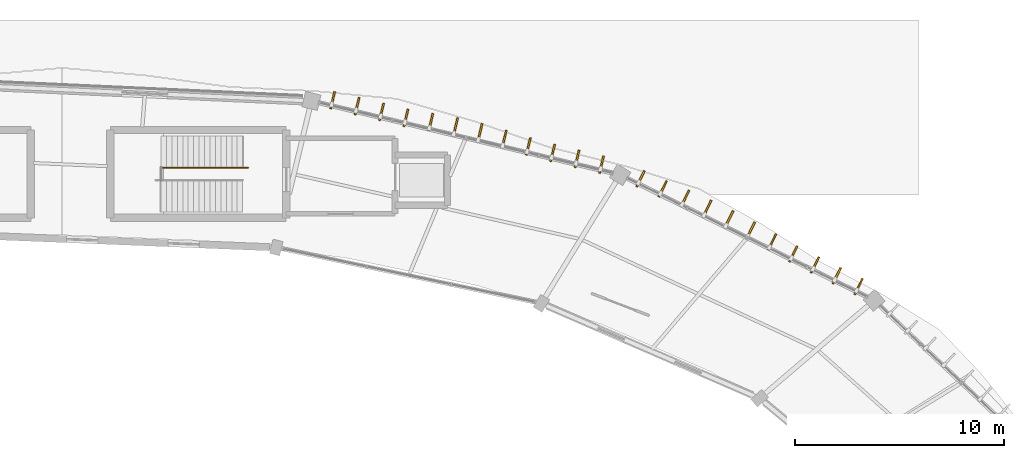
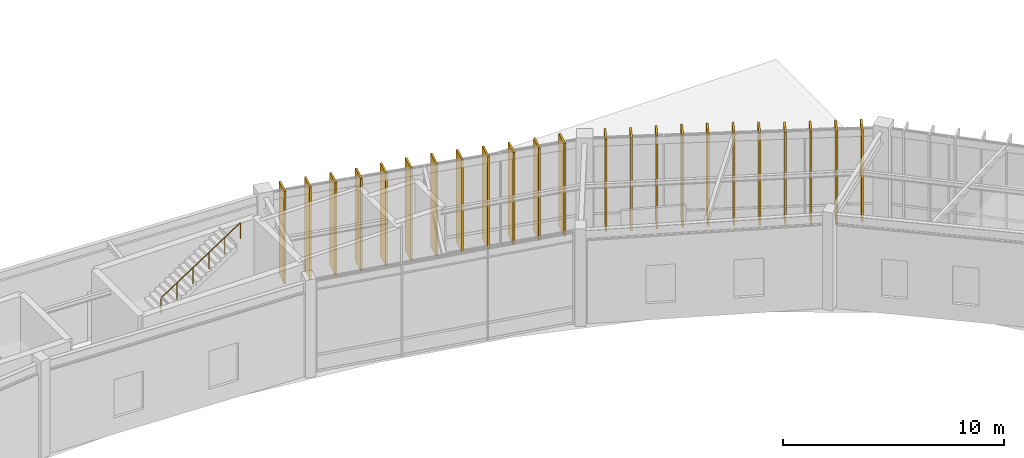
# One storey, part 152 of 157: 23 shading devices, 1 railing.
"""IFC4 building model written with IfcOpenShell, lengths in metres."""

from ifc_helpers import new_model, si_unit, direction, frame, origin, origin_2d, place, context, subcontext, project, spatial, rectangle, circle, extrude, material, type_object, element, save


model = new_model("IFC4")

# Units and contexts
model_context = context("Model", 3, precision=1e-05, world=origin(), true_north=direction((0.0, 1.0)))
body_context = subcontext(model_context, "Body", "Model", "MODEL_VIEW")
ifc_project = project(units=[si_unit("LENGTHUNIT", "METRE"), si_unit("AREAUNIT", "SQUARE_METRE"), si_unit("VOLUMEUNIT", "CUBIC_METRE"), si_unit("PLANEANGLEUNIT", "RADIAN"), si_unit("MASSUNIT", "GRAM", prefix="KILO"), si_unit("THERMODYNAMICTEMPERATUREUNIT", "KELVIN"), si_unit("POWERUNIT", "WATT")], contexts=[model_context])

# Site, building, storey
site_placement = place(None, origin())
site = spatial("IfcSite", under=ifc_project, at=site_placement, CompositionType="ELEMENT")
building_placement = place(site_placement, origin())
building = spatial("IfcBuilding", under=site, at=building_placement, Name="Darbajah Civic Hall", CompositionType="ELEMENT")
storey_placement = place(building_placement, origin())
storey = spatial("IfcBuildingStorey", under=building, at=storey_placement, Name="L00", CompositionType="ELEMENT", Elevation=0.0)

# Railing
ifc_material_1 = material(Name="Brushed Bronze Stainless Steel", Category="steel")
railing_type = type_object("IfcRailingType", Name="Brushed Bronze Handrail", PredefinedType="HANDRAIL", material=ifc_material_1)
railing_placement = place(storey_placement, frame((93.820068359375, 115.300048828125, 2.86865234375)))
element("IfcRailing", 1, at=railing_placement, inside=storey, type_object=railing_type, Name="ST02 L00 upper flight handrail", PredefinedType="HANDRAIL", context=body_context, shape_type="SweptSolid", body=[
    extrude(circle(Radius=0.02392578125, at=origin_2d()), frame((0.02294921875, 0.0, 0.910888671875), z_axis=(0.837079509808, 0.0, 0.547081250145), x_axis=(0.0, 1.0, 0.0)), (0.0, 0.0, 1.0), 4.9150390625),
    extrude(circle(Radius=0.02099609375, at=origin_2d()), origin(), (0.0, 0.0, 1.0), 0.867919921875),
    extrude(circle(Radius=0.02099609375, at=origin_2d()), frame((0.83203125, 0.0, 0.543701171875)), (0.0, 0.0, 1.0), 0.867919921875),
    extrude(circle(Radius=0.02099609375, at=origin_2d()), frame((1.6640625, 0.0, 1.08740234375)), (0.0, 0.0, 1.0), 0.867919921875),
    extrude(circle(Radius=0.02099609375, at=origin_2d()), frame((2.495849609375, 0.0, 1.63134765625)), (0.0, 0.0, 1.0), 0.867919921875),
    extrude(circle(Radius=0.02099609375, at=origin_2d()), frame((3.327880859375, 0.0, 2.175048828125)), (0.0, 0.0, 1.0), 0.867919921875),
    extrude(circle(Radius=0.02099609375, at=origin_2d()), frame((4.159912109375, 0.0, 2.71875)), (0.0, 0.0, 1.0), 0.867919921875),
])

# Shading devices
ifc_material_2 = material(Name="Bronze Anodised Aluminium and Teak Composite", Category="aluminium")
shading_device_type = type_object("IfcShadingDeviceType", Name="Vertical Bronze Timber Shading Fin", PredefinedType="USERDEFINED", material=ifc_material_2)
for number, where, z_axis, x_axis, name in (
    (2, (127.139404296875, 109.62060546875, 0.0), (0.0, 0.0, 1.0), (0.442914717678, 0.89656374724, 0.0), "L00 vertical shading fin VF-02-1"),
    (3, (126.09765625, 110.135009765625, 0.0), (0.0, 0.0, 1.0), (0.442914717678, 0.89656374724, 0.0), "L00 vertical shading fin VF-02-2"),
    (4, (125.05615234375, 110.649658203125, 0.0), (0.0, 0.0, 1.0), (0.442914717678, 0.89656374724, 0.0), "L00 vertical shading fin VF-02-3"),
    (5, (124.020751953125, 111.176513671875, 0.0), (0.0, 0.0, 1.0), (0.442914717678, 0.89656374724, 0.0), "L00 vertical shading fin VF-02-4"),
    (6, (123.008056640625, 111.74951171875, 0.0), (0.0, 0.0, 1.0), (0.442914717678, 0.89656374724, 0.0), "L00 vertical shading fin VF-02-5"),
    (7, (121.990234375, 112.3125, 0.0), (0.0, 0.0, 1.0), (0.442914717678, 0.89656374724, 0.0), "L00 vertical shading fin VF-02-6"),
    (8, (120.960693359375, 112.8515625, 0.0), (0.0, 0.0, 1.0), (0.442914717678, 0.89656374724, 0.0), "L00 vertical shading fin VF-02-7"),
    (9, (119.915283203125, 113.35791015625, 0.0), (0.0, 0.0, 1.0), (0.442914717678, 0.89656374724, 0.0), "L00 vertical shading fin VF-02-8"),
    (10, (118.853515625, 113.831787109375, 0.0), (0.0, 0.0, 1.0), (0.442914717678, 0.89656374724, 0.0), "L00 vertical shading fin VF-02-9"),
    (11, (117.7802734375, 114.282470703125, 0.0), (0.0, 0.0, 1.0), (0.442914717678, 0.89656374724, 0.0), "L00 vertical shading fin VF-02-10"),
    (12, (116.7236328125, 114.76611328125, 0.0), (0.0, 0.0, 1.0), (0.442914717678, 0.89656374724, 0.0), "L00 vertical shading fin VF-02-11"),
    (13, (114.85888671875, 115.438232421875, 0.0), (0.0, 0.0, 1.0), (0.232936200179, 0.972492018808, 0.0), "L00 vertical shading fin VF-03-1"),
    (14, (113.69140625, 115.718017578125, 0.0), (0.0, 0.0, 1.0), (0.232936200179, 0.972492018808, 0.0), "L00 vertical shading fin VF-03-2"),
    (15, (112.524169921875, 115.997802734375, 0.0), (0.0, 0.0, 1.0), (0.232936200179, 0.972492018808, 0.0), "L00 vertical shading fin VF-03-3"),
    (16, (111.365478515625, 116.313232421875, 0.0), (0.0, 0.0, 1.0), (0.232936200179, 0.972492018808, 0.0), "L00 vertical shading fin VF-03-4"),
    (17, (110.21630859375, 116.669189453125, 0.0), (0.0, 0.0, 1.0), (0.232936200179, 0.972492018808, 0.0), "L00 vertical shading fin VF-03-5"),
    (18, (109.05908203125, 116.9912109375, 0.0), (0.0, 0.0, 1.0), (0.232936200179, 0.972492018808, 0.0), "L00 vertical shading fin VF-03-6"),
    (19, (107.888671875, 117.2587890625, 0.0), (0.0, 0.0, 1.0), (0.232936200179, 0.972492018808, 0.0), "L00 vertical shading fin VF-03-7"),
    (20, (106.70556640625, 117.472900390625, 0.0), (0.0, 0.0, 1.0), (0.232936200179, 0.972492018808, 0.0), "L00 vertical shading fin VF-03-8"),
    (21, (105.52001953125, 117.67578125, 0.0), (0.0, 0.0, 1.0), (0.232936200179, 0.972492018808, 0.0), "L00 vertical shading fin VF-03-9"),
    (22, (104.3525390625, 117.95556640625, 0.0), (0.0, 0.0, 1.0), (0.232936200179, 0.972492018808, 0.0), "L00 vertical shading fin VF-03-10"),
    (23, (103.18505859375, 118.2353515625, 0.0), (0.0, 0.0, 1.0), (0.232936200179, 0.972492018808, 0.0), "L00 vertical shading fin VF-03-11"),
    (24, (102.017578125, 118.514892578125, 0.0), (0.0, 0.0, 1.0), (0.232936200179, 0.972492018808, 0.0), "L00 vertical shading fin VF-03-12"),
):
    element("IfcShadingDevice", number, at=place(storey_placement, frame(where, z_axis=z_axis, x_axis=x_axis)), inside=storey, type_object=shading_device_type, Name=name, ObjectType="VERTICAL FIN", PredefinedType="USERDEFINED", context=body_context, shape_type="SweptSolid", body=[
        extrude(rectangle(XDim=0.85009765625, YDim=0.090087890625, at=origin_2d()), origin(), (0.0, 0.0, 1.0), 5.1201171875),
    ])

save(model, "model.ifc")
